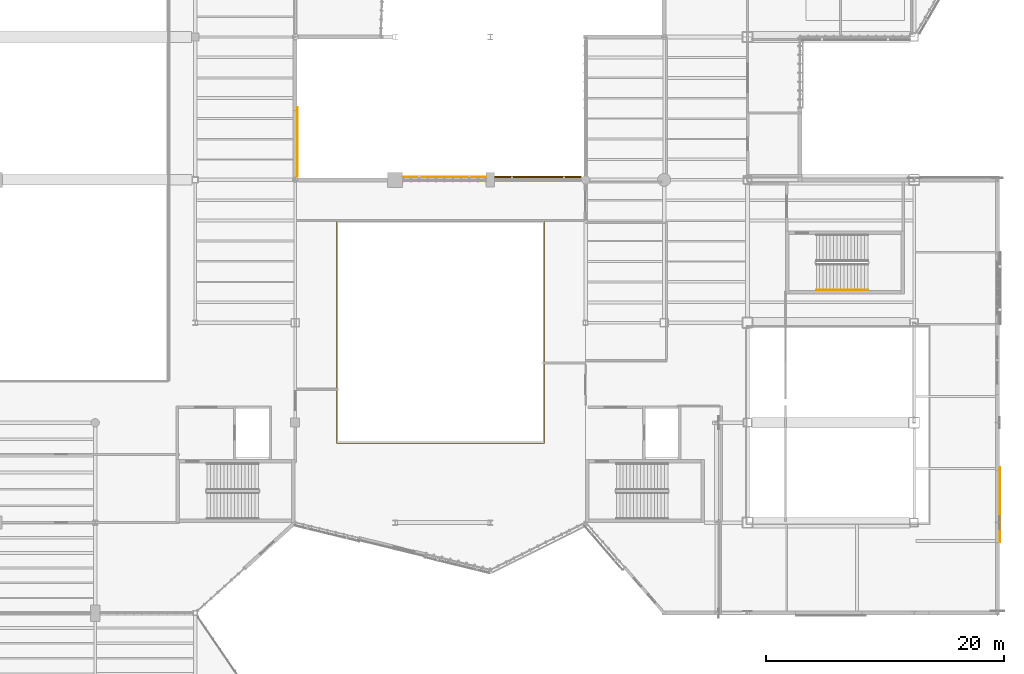
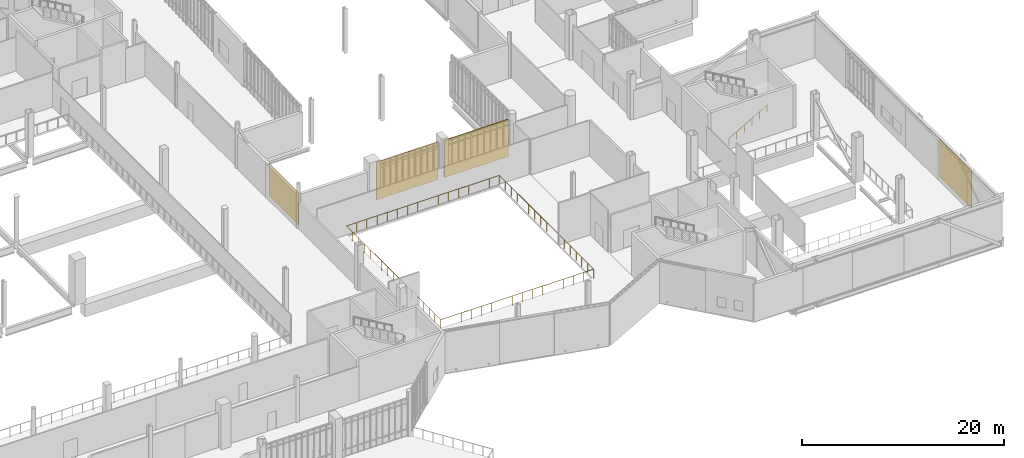
# One storey, part 122 of 127: 2 coverings, 2 railings, 2 shading devices.
"""IFC4 building model written with IfcOpenShell, lengths in metres."""

import ifcopenshell
import ifcopenshell.guid

model = None  # the IFC model being written
_history = None  # IfcOwnerHistory: only IFC2X3 demands one
_inside = {}  # id of a spatial element -> (the spatial element, [elements in it])
_under = {}  # id of a project, library or spatial element -> (it, [spatial elements below it])
_declared = {}  # id of a project -> (the project, [libraries it declares])
_typed = {}  # id of a type object -> (the type object, [elements of that type])
_made_of = {}  # id of a material, layer set ... -> (it, [elements and type objects made of it])


def new_model(schema):
    """Start an empty IFC model of exactly this schema.

    Asked for "IFC4X3", IfcOpenShell would pick the latest addendum, in which some entities
    have other attributes; the version numbers below select the first issue.
    IFC2X3 requires an IfcOwnerHistory on every rooted entity: one is made here for all.
    """
    global model, _history
    if schema == "IFC4X3":
        model = ifcopenshell.file(schema_version=(4, 3, 0, 0))
    else:
        model = ifcopenshell.file(schema=schema)
    _inside.clear()
    _under.clear()
    _declared.clear()
    _typed.clear()
    _made_of.clear()
    _history = None
    if model.schema == "IFC2X3":
        org = make("IfcOrganization", Name="unknown")
        user = make(
            "IfcPersonAndOrganization",
            ThePerson=make("IfcPerson", FamilyName="unknown"),
            TheOrganization=org,
        )
        app = make(
            "IfcApplication",
            ApplicationDeveloper=org,
            Version="unknown",
            ApplicationFullName="unknown",
            ApplicationIdentifier="unknown",
        )
        _history = make(
            "IfcOwnerHistory",
            OwningUser=user,
            OwningApplication=app,
            ChangeAction="ADDED",
            CreationDate=0,
        )
    return model


def make(cls, **values):
    """One entity of the class cls with the attributes given. An attribute that is None is left unset."""
    return model.create_entity(
        cls, **{name: value for name, value in values.items() if value is not None}
    )


def rooted(cls, **values):
    """An entity with a GlobalId (a new one), such as an element, a storey or a relation."""
    return make(cls, GlobalId=ifcopenshell.guid.new(), OwnerHistory=_history, **values)


def si_unit(unit_type, name, prefix=None):
    """IfcSIUnit, for example si_unit("LENGTHUNIT", "METRE", prefix="MILLI")."""
    return make("IfcSIUnit", UnitType=unit_type, Prefix=prefix, Name=name)


def assignment(units):
    """IfcUnitAssignment: the units of a project."""
    return None if units is None else make("IfcUnitAssignment", Units=units)


def point(xyz):
    """IfcCartesianPoint."""
    return None if xyz is None else make("IfcCartesianPoint", Coordinates=xyz)


def direction(xyz):
    """IfcDirection."""
    return None if xyz is None else make("IfcDirection", DirectionRatios=xyz)


def frame(location, z_axis=None, x_axis=None):
    """IfcAxis2Placement3D, a coordinate frame: its origin and axes. An axis left out is left unset."""
    return make(
        "IfcAxis2Placement3D",
        Location=point(location),
        Axis=direction(z_axis),
        RefDirection=direction(x_axis),
    )


def frame_2d(location, x_axis=None):
    """IfcAxis2Placement2D, a coordinate frame in the plane: its origin and x axis."""
    return make(
        "IfcAxis2Placement2D", Location=point(location), RefDirection=direction(x_axis)
    )


def origin():
    """The frame at (0, 0, 0) with its axes left unset."""
    return frame((0.0, 0.0, 0.0))


def origin_2d():
    """The frame at (0, 0) in the plane with its x axis left unset."""
    return frame_2d((0.0, 0.0))


def place(relative_to, where):
    """IfcLocalPlacement: puts the frame where relative to a parent placement (None: the world)."""
    return make(
        "IfcLocalPlacement", PlacementRelTo=relative_to, RelativePlacement=where
    )


def context(
    kind, dimensions, precision=None, world=None, true_north=None, identifier=None
):
    """IfcGeometricRepresentationContext, for example the 3D "Model" context."""
    return make(
        "IfcGeometricRepresentationContext",
        ContextIdentifier=identifier,
        ContextType=kind,
        CoordinateSpaceDimension=dimensions,
        Precision=precision,
        WorldCoordinateSystem=world,
        TrueNorth=true_north,
    )


def subcontext(parent, identifier, kind, view, scale=None):
    """IfcGeometricRepresentationSubContext, for example "Body" below "Model"."""
    return make(
        "IfcGeometricRepresentationSubContext",
        ContextIdentifier=identifier,
        ContextType=kind,
        ParentContext=parent,
        TargetScale=scale,
        TargetView=view,
    )


def project(units=None, contexts=None):
    """IfcProject with its units and contexts."""
    return rooted(
        "IfcProject",
        Name="project",
        RepresentationContexts=contexts,
        UnitsInContext=assignment(units),
    )


def spatial(cls, under=None, at=None, **own):
    """A site, building, storey or space (cls), placed at a placement, below another one or the project."""
    s = rooted(cls, ObjectPlacement=at, **own)
    if under is not None:
        _under.setdefault(under.id(), (under, []))[1].append(s)
    return s


def profile(cls, at=None, kind="AREA", **sizes):
    """A parametric profile (cls). Its sizes go by their IFC names, for example OverallWidth=200.0."""
    return make(cls, ProfileType=kind, Position=at, **sizes)


def rectangle(**sizes):
    """IfcRectangleProfileDef."""
    return profile("IfcRectangleProfileDef", **sizes)


def circle(**sizes):
    """IfcCircleProfileDef."""
    return profile("IfcCircleProfileDef", **sizes)


def extrude(swept, where, along, depth):
    """IfcExtrudedAreaSolid: the profile swept, set in the frame where, extruded along a direction by depth."""
    return make(
        "IfcExtrudedAreaSolid",
        SweptArea=swept,
        Position=where,
        ExtrudedDirection=direction(along),
        Depth=depth,
    )


def shape(context_of_items, identifier, shape_type, items):
    """IfcShapeRepresentation: the items that make up one representation, for example the "Body"."""
    return make(
        "IfcShapeRepresentation",
        ContextOfItems=context_of_items,
        RepresentationIdentifier=identifier,
        RepresentationType=shape_type,
        Items=items,
    )


def material(Name=None, Category=None):
    """IfcMaterial."""
    return make("IfcMaterial", Name=Name, Category=Category)


def layer(
    of_material, thickness, ventilated=None, Name=None, Category=None, Priority=None
):
    """IfcMaterialLayer: one layer of a wall or slab, of a material (None: an air gap)."""
    return make(
        "IfcMaterialLayer",
        Material=of_material,
        LayerThickness=thickness,
        IsVentilated=ventilated,
        Name=Name,
        Category=Category,
        Priority=Priority,
    )


def layer_set(layers, Name=None):
    """IfcMaterialLayerSet."""
    return make("IfcMaterialLayerSet", MaterialLayers=layers, LayerSetName=Name)


def made_of(thing, what):
    """Note that an element or type object is made of a material, layer set ...; save() writes the relation."""
    if what is not None:
        _made_of.setdefault(what.id(), (what, []))[1].append(thing)
    return thing


def type_object(cls, material=None, **own):
    """A type object (cls), such as IfcWallType, which elements share."""
    return made_of(rooted(cls, **own), material)


def element(
    cls,
    number,
    at=None,
    inside=None,
    cuts=None,
    type_object=None,
    material=None,
    context=None,
    identifier="Body",
    shape_type=None,
    held_by="IfcProductDefinitionShape",
    body=None,
    shapes=None,
    **own,
):
    """One element of the class cls, such as IfcWall. Its Tag is "e" and its number.

    at: its placement. inside: the storey or other place that contains it. cuts: it is an
    opening in that element (IfcRelVoidsElement). A single representation is given by context,
    identifier, shape_type and body (its items); several are given by shapes. held_by: the class
    of the entity that holds the representations. save() writes the other relations.
    """
    e = rooted(cls, Tag="e%d" % number, ObjectPlacement=at, **own)
    if body is not None:
        shapes = [shape(context, identifier, shape_type, body)]
    if shapes is not None:
        e.Representation = make(held_by, Representations=shapes)
    if inside is not None:
        _inside.setdefault(inside.id(), (inside, []))[1].append(e)
    if cuts is not None:
        rooted(
            "IfcRelVoidsElement", RelatingBuildingElement=cuts, RelatedOpeningElement=e
        )
    if type_object is not None:
        _typed.setdefault(type_object.id(), (type_object, []))[1].append(e)
    return made_of(e, material)


def aggregate(whole, parts):
    """IfcRelAggregates: a whole, such as a stair, and the parts it consists of."""
    return rooted("IfcRelAggregates", RelatingObject=whole, RelatedObjects=parts)


def save(model, path):
    """Write the relations noted so far, then the file.

    IfcRelAggregates (storeys below a building ...), IfcRelContainedInSpatialStructure (elements
    in a storey), IfcRelDefinesByType, IfcRelAssociatesMaterial and IfcRelDeclares: one each for
    every whole, place, type object, material and project.
    """
    for whole, parts in _under.values():
        aggregate(whole, parts)
    for where, things in _inside.values():
        rooted(
            "IfcRelContainedInSpatialStructure",
            RelatedElements=things,
            RelatingStructure=where,
        )
    for kind, things in _typed.values():
        rooted("IfcRelDefinesByType", RelatedObjects=things, RelatingType=kind)
    for what, things in _made_of.values():
        rooted("IfcRelAssociatesMaterial", RelatedObjects=things, RelatingMaterial=what)
    for by, libraries in _declared.values():
        rooted("IfcRelDeclares", RelatingContext=by, RelatedDefinitions=libraries)
    model.write(path)


model = new_model("IFC4")

# Units and contexts
model_context = context("Model", 3, precision=1e-05, world=origin(), true_north=direction((0.0, 1.0)))
body_context = subcontext(model_context, "Body", "Model", "MODEL_VIEW")
ifc_project = project(units=[si_unit("LENGTHUNIT", "METRE"), si_unit("AREAUNIT", "SQUARE_METRE"), si_unit("VOLUMEUNIT", "CUBIC_METRE"), si_unit("PLANEANGLEUNIT", "RADIAN"), si_unit("MASSUNIT", "GRAM", prefix="KILO")], contexts=[model_context])

# Site, building, storey
site_placement = place(None, origin())
site = spatial("IfcSite", under=ifc_project, at=site_placement, CompositionType="ELEMENT")
building_placement = place(site_placement, origin())
building = spatial("IfcBuilding", under=site, at=building_placement, Name="Larkvane Passage Sports Hall", CompositionType="ELEMENT")
storey_placement = place(building_placement, frame((0.0, 0.0, 5.39990234375)))
storey = spatial("IfcBuildingStorey", under=building, at=storey_placement, Name="L01", CompositionType="ELEMENT", Elevation=5.39990234375)

# Coverings
ifc_material_1 = material(Name="Perforated anodised aluminium 5052-H32", Category="aluminium")
ifc_layer_1 = layer(ifc_material_1, 0.050048828125)
ifc_layer_set_1 = layer_set([ifc_layer_1], Name="Perforated anodised aluminium 5052-H32")
covering_type = type_object("IfcCoveringType", Name="COV-MESH-VEIL", PredefinedType="CLADDING", material=ifc_layer_set_1)
covering_1_placement = place(storey_placement, frame((93.797607421875, 54.782470703125, 0.0751953125), z_axis=(0.0, 0.0, 1.0), x_axis=(0.0, -1.0, 0.0)))
element("IfcCovering", 1, at=covering_1_placement, inside=storey, type_object=covering_type, Name="Perforated cladding cassette L01-084", PredefinedType="CLADDING", context=body_context, shape_type="SweptSolid", body=[
    extrude(rectangle(XDim=5.866455078125, YDim=0.050048828125, at=origin_2d()), origin(), (0.0, 0.0, 1.0), 3.91796875),
])
covering_2_placement = place(storey_placement, frame((152.797607421875, 24.300048828125, 0.0751953125), z_axis=(0.0, 0.0, 1.0), x_axis=(0.0, -1.0, 0.0)))
element("IfcCovering", 2, at=covering_2_placement, inside=storey, type_object=covering_type, Name="Perforated cladding cassette L01-100", PredefinedType="CLADDING", context=body_context, shape_type="SweptSolid", body=[
    extrude(rectangle(XDim=6.2978515625, YDim=0.050048828125, at=origin_2d()), origin(), (0.0, 0.0, 1.0), 4.597900390625),
])

# Railings
ifc_material_2 = material(Name="Laminated toughened glass and stainless steel S355JR", Category="steel")
railing_type_1 = type_object("IfcRailingType", Name="RL-BALUST-1120", PredefinedType="BALUSTRADE", material=ifc_material_2)
railing_1_placement = place(storey_placement, frame((97.080078125, 29.47998046875, 0.0)))
element("IfcRailing", 3, at=railing_1_placement, inside=storey, type_object=railing_type_1, Name="Atrium void balustrade L01-004", PredefinedType="BALUSTRADE", context=body_context, shape_type="SweptSolid", body=[
    extrude(circle(Radius=0.02392578125, at=origin_2d()), frame((0.001953125, 0.0, 1.09619140625), z_axis=(1.0, 0.0, 0.0), x_axis=(0.0, 1.0, 0.0)), (0.0, 0.0, 1.0), 17.43603515625),
    extrude(circle(Radius=0.02392578125, at=origin_2d()), frame((17.43994140625, 0.001953125, 1.09619140625), z_axis=(0.0, 1.0, 0.0), x_axis=(-1.0, 0.0, 0.0)), (0.0, 0.0, 1.0), 18.63623046875),
    extrude(circle(Radius=0.02392578125, at=origin_2d()), frame((17.43798828125, 18.64013671875, 1.09619140625), z_axis=(-1.0, 0.0, 0.0), x_axis=(0.0, -1.0, 0.0)), (0.0, 0.0, 1.0), 17.43603515625),
    extrude(circle(Radius=0.02392578125, at=origin_2d()), frame((0.0, 18.63818359375, 1.09619140625), z_axis=(0.0, -1.0, 0.0), x_axis=(1.0, 0.0, 0.0)), (0.0, 0.0, 1.0), 18.63623046875),
    extrude(circle(Radius=0.02099609375, at=origin_2d()), origin(), (0.0, 0.0, 1.0), 1.072021484375),
    extrude(circle(Radius=0.02099609375, at=origin_2d()), frame((1.16259765625, 0.0, 0.0)), (0.0, 0.0, 1.0), 1.072021484375),
    extrude(circle(Radius=0.02099609375, at=origin_2d()), frame((2.325439453125, 0.0, 0.0)), (0.0, 0.0, 1.0), 1.072021484375),
    extrude(circle(Radius=0.02099609375, at=origin_2d()), frame((3.488037109375, 0.0, 0.0)), (0.0, 0.0, 1.0), 1.072021484375),
    extrude(circle(Radius=0.02099609375, at=origin_2d()), frame((4.650634765625, 0.0, 0.0)), (0.0, 0.0, 1.0), 1.072021484375),
    extrude(circle(Radius=0.02099609375, at=origin_2d()), frame((5.813232421875, 0.0, 0.0)), (0.0, 0.0, 1.0), 1.072021484375),
    extrude(circle(Radius=0.02099609375, at=origin_2d()), frame((6.97607421875, 0.0, 0.0)), (0.0, 0.0, 1.0), 1.072021484375),
    extrude(circle(Radius=0.02099609375, at=origin_2d()), frame((8.138671875, 0.0, 0.0)), (0.0, 0.0, 1.0), 1.072021484375),
    extrude(circle(Radius=0.02099609375, at=origin_2d()), frame((9.30126953125, 0.0, 0.0)), (0.0, 0.0, 1.0), 1.072021484375),
    extrude(circle(Radius=0.02099609375, at=origin_2d()), frame((10.4638671875, 0.0, 0.0)), (0.0, 0.0, 1.0), 1.072021484375),
    extrude(circle(Radius=0.02099609375, at=origin_2d()), frame((11.626708984375, 0.0, 0.0)), (0.0, 0.0, 1.0), 1.072021484375),
    extrude(circle(Radius=0.02099609375, at=origin_2d()), frame((12.789306640625, 0.0, 0.0)), (0.0, 0.0, 1.0), 1.072021484375),
    extrude(circle(Radius=0.02099609375, at=origin_2d()), frame((13.951904296875, 0.0, 0.0)), (0.0, 0.0, 1.0), 1.072021484375),
    extrude(circle(Radius=0.02099609375, at=origin_2d()), frame((15.114501953125, 0.0, 0.0)), (0.0, 0.0, 1.0), 1.072021484375),
    extrude(circle(Radius=0.02099609375, at=origin_2d()), frame((16.27734375, 0.0, 0.0)), (0.0, 0.0, 1.0), 1.072021484375),
    extrude(circle(Radius=0.02099609375, at=origin_2d()), frame((17.43994140625, 0.0, 0.0)), (0.0, 0.0, 1.0), 1.072021484375),
    extrude(circle(Radius=0.02099609375, at=origin_2d()), frame((17.43994140625, 1.1650390625, 0.0)), (0.0, 0.0, 1.0), 1.072021484375),
    extrude(circle(Radius=0.02099609375, at=origin_2d()), frame((17.43994140625, 2.330078125, 0.0)), (0.0, 0.0, 1.0), 1.072021484375),
    extrude(circle(Radius=0.02099609375, at=origin_2d()), frame((17.43994140625, 3.4951171875, 0.0)), (0.0, 0.0, 1.0), 1.072021484375),
    extrude(circle(Radius=0.02099609375, at=origin_2d()), frame((17.43994140625, 4.66015625, 0.0)), (0.0, 0.0, 1.0), 1.072021484375),
    extrude(circle(Radius=0.02099609375, at=origin_2d()), frame((17.43994140625, 5.824951171875, 0.0)), (0.0, 0.0, 1.0), 1.072021484375),
    extrude(circle(Radius=0.02099609375, at=origin_2d()), frame((17.43994140625, 6.989990234375, 0.0)), (0.0, 0.0, 1.0), 1.072021484375),
    extrude(circle(Radius=0.02099609375, at=origin_2d()), frame((17.43994140625, 8.155029296875, 0.0)), (0.0, 0.0, 1.0), 1.072021484375),
    extrude(circle(Radius=0.02099609375, at=origin_2d()), frame((17.43994140625, 9.320068359375, 0.0)), (0.0, 0.0, 1.0), 1.072021484375),
    extrude(circle(Radius=0.02099609375, at=origin_2d()), frame((17.43994140625, 10.485107421875, 0.0)), (0.0, 0.0, 1.0), 1.072021484375),
    extrude(circle(Radius=0.02099609375, at=origin_2d()), frame((17.43994140625, 11.650146484375, 0.0)), (0.0, 0.0, 1.0), 1.072021484375),
    extrude(circle(Radius=0.02099609375, at=origin_2d()), frame((17.43994140625, 12.815185546875, 0.0)), (0.0, 0.0, 1.0), 1.072021484375),
    extrude(circle(Radius=0.02099609375, at=origin_2d()), frame((17.43994140625, 13.97998046875, 0.0)), (0.0, 0.0, 1.0), 1.072021484375),
    extrude(circle(Radius=0.02099609375, at=origin_2d()), frame((17.43994140625, 15.14501953125, 0.0)), (0.0, 0.0, 1.0), 1.072021484375),
    extrude(circle(Radius=0.02099609375, at=origin_2d()), frame((17.43994140625, 16.31005859375, 0.0)), (0.0, 0.0, 1.0), 1.072021484375),
    extrude(circle(Radius=0.02099609375, at=origin_2d()), frame((17.43994140625, 17.47509765625, 0.0)), (0.0, 0.0, 1.0), 1.072021484375),
    extrude(circle(Radius=0.02099609375, at=origin_2d()), frame((17.43994140625, 18.64013671875, 0.0)), (0.0, 0.0, 1.0), 1.072021484375),
    extrude(circle(Radius=0.02099609375, at=origin_2d()), frame((16.27734375, 18.64013671875, 0.0)), (0.0, 0.0, 1.0), 1.072021484375),
    extrude(circle(Radius=0.02099609375, at=origin_2d()), frame((15.114501953125, 18.64013671875, 0.0)), (0.0, 0.0, 1.0), 1.072021484375),
    extrude(circle(Radius=0.02099609375, at=origin_2d()), frame((13.951904296875, 18.64013671875, 0.0)), (0.0, 0.0, 1.0), 1.072021484375),
    extrude(circle(Radius=0.02099609375, at=origin_2d()), frame((12.789306640625, 18.64013671875, 0.0)), (0.0, 0.0, 1.0), 1.072021484375),
    extrude(circle(Radius=0.02099609375, at=origin_2d()), frame((11.626708984375, 18.64013671875, 0.0)), (0.0, 0.0, 1.0), 1.072021484375),
    extrude(circle(Radius=0.02099609375, at=origin_2d()), frame((10.4638671875, 18.64013671875, 0.0)), (0.0, 0.0, 1.0), 1.072021484375),
    extrude(circle(Radius=0.02099609375, at=origin_2d()), frame((9.30126953125, 18.64013671875, 0.0)), (0.0, 0.0, 1.0), 1.072021484375),
    extrude(circle(Radius=0.02099609375, at=origin_2d()), frame((8.138671875, 18.64013671875, 0.0)), (0.0, 0.0, 1.0), 1.072021484375),
    extrude(circle(Radius=0.02099609375, at=origin_2d()), frame((6.97607421875, 18.64013671875, 0.0)), (0.0, 0.0, 1.0), 1.072021484375),
    extrude(circle(Radius=0.02099609375, at=origin_2d()), frame((5.813232421875, 18.64013671875, 0.0)), (0.0, 0.0, 1.0), 1.072021484375),
    extrude(circle(Radius=0.02099609375, at=origin_2d()), frame((4.650634765625, 18.64013671875, 0.0)), (0.0, 0.0, 1.0), 1.072021484375),
    extrude(circle(Radius=0.02099609375, at=origin_2d()), frame((3.488037109375, 18.64013671875, 0.0)), (0.0, 0.0, 1.0), 1.072021484375),
    extrude(circle(Radius=0.02099609375, at=origin_2d()), frame((2.325439453125, 18.64013671875, 0.0)), (0.0, 0.0, 1.0), 1.072021484375),
    extrude(circle(Radius=0.02099609375, at=origin_2d()), frame((1.16259765625, 18.64013671875, 0.0)), (0.0, 0.0, 1.0), 1.072021484375),
    extrude(circle(Radius=0.02099609375, at=origin_2d()), frame((0.0, 18.64013671875, 0.0)), (0.0, 0.0, 1.0), 1.072021484375),
    extrude(circle(Radius=0.02099609375, at=origin_2d()), frame((0.0, 17.47509765625, 0.0)), (0.0, 0.0, 1.0), 1.072021484375),
    extrude(circle(Radius=0.02099609375, at=origin_2d()), frame((0.0, 16.31005859375, 0.0)), (0.0, 0.0, 1.0), 1.072021484375),
    extrude(circle(Radius=0.02099609375, at=origin_2d()), frame((0.0, 15.14501953125, 0.0)), (0.0, 0.0, 1.0), 1.072021484375),
    extrude(circle(Radius=0.02099609375, at=origin_2d()), frame((0.0, 13.97998046875, 0.0)), (0.0, 0.0, 1.0), 1.072021484375),
    extrude(circle(Radius=0.02099609375, at=origin_2d()), frame((0.0, 12.815185546875, 0.0)), (0.0, 0.0, 1.0), 1.072021484375),
    extrude(circle(Radius=0.02099609375, at=origin_2d()), frame((0.0, 11.650146484375, 0.0)), (0.0, 0.0, 1.0), 1.072021484375),
    extrude(circle(Radius=0.02099609375, at=origin_2d()), frame((0.0, 10.485107421875, 0.0)), (0.0, 0.0, 1.0), 1.072021484375),
    extrude(circle(Radius=0.02099609375, at=origin_2d()), frame((0.0, 9.320068359375, 0.0)), (0.0, 0.0, 1.0), 1.072021484375),
    extrude(circle(Radius=0.02099609375, at=origin_2d()), frame((0.0, 8.155029296875, 0.0)), (0.0, 0.0, 1.0), 1.072021484375),
    extrude(circle(Radius=0.02099609375, at=origin_2d()), frame((0.0, 6.989990234375, 0.0)), (0.0, 0.0, 1.0), 1.072021484375),
    extrude(circle(Radius=0.02099609375, at=origin_2d()), frame((0.0, 5.824951171875, 0.0)), (0.0, 0.0, 1.0), 1.072021484375),
    extrude(circle(Radius=0.02099609375, at=origin_2d()), frame((0.0, 4.66015625, 0.0)), (0.0, 0.0, 1.0), 1.072021484375),
    extrude(circle(Radius=0.02099609375, at=origin_2d()), frame((0.0, 3.4951171875, 0.0)), (0.0, 0.0, 1.0), 1.072021484375),
    extrude(circle(Radius=0.02099609375, at=origin_2d()), frame((0.0, 2.330078125, 0.0)), (0.0, 0.0, 1.0), 1.072021484375),
    extrude(circle(Radius=0.02099609375, at=origin_2d()), frame((0.0, 1.1650390625, 0.0)), (0.0, 0.0, 1.0), 1.072021484375),
])
ifc_material_3 = material(Name="Stainless steel S355JR", Category="steel")
railing_type_2 = type_object("IfcRailingType", Name="RL-HAND-920", PredefinedType="HANDRAIL", material=ifc_material_3)
railing_2_placement = place(storey_placement, frame((137.3798828125, 42.35009765625, 0.1689453125)))
element("IfcRailing", 4, at=railing_2_placement, inside=storey, type_object=railing_type_2, Name="L01 ST-07 stair handrail 1", PredefinedType="HANDRAIL", context=body_context, shape_type="SweptSolid", body=[
    extrude(circle(Radius=0.02392578125, at=origin_2d()), frame((0.001708984375, 0.0, 0.876953125), z_axis=(0.864323800911, 0.0, 0.50293574856), x_axis=(0.0, 1.0, 0.0)), (0.0, 0.0, 1.0), 5.029052734375),
    extrude(circle(Radius=0.02099609375, at=origin_2d()), origin(), (0.0, 0.0, 1.0), 0.851806640625),
    extrude(circle(Radius=0.02099609375, at=origin_2d()), frame((0.8701171875, 0.0, 0.50634765625)), (0.0, 0.0, 1.0), 0.851806640625),
    extrude(circle(Radius=0.02099609375, at=origin_2d()), frame((1.739990234375, 0.0, 1.012451171875)), (0.0, 0.0, 1.0), 0.851806640625),
    extrude(circle(Radius=0.02099609375, at=origin_2d()), frame((2.610107421875, 0.0, 1.518798828125)), (0.0, 0.0, 1.0), 0.851806640625),
    extrude(circle(Radius=0.02099609375, at=origin_2d()), frame((3.47998046875, 0.0, 2.02490234375)), (0.0, 0.0, 1.0), 0.851806640625),
    extrude(circle(Radius=0.02099609375, at=origin_2d()), frame((4.35009765625, 0.0, 2.53125)), (0.0, 0.0, 1.0), 0.851806640625),
])

# Shading devices
ifc_material_4 = material(Name="Extruded aluminium 6063-T6", Category="aluminium")
ifc_layer_2 = layer(ifc_material_4, 0.1201171875)
ifc_layer_set_2 = layer_set([ifc_layer_2], Name="Extruded aluminium 6063-T6")
shading_device_type_1 = type_object("IfcShadingDeviceType", Name="SHD-LOUVRE-STORM", PredefinedType="JALOUSIE", material=ifc_layer_set_2)
shading_device_1_placement = place(storey_placement, frame((114.0, 51.840087890625, 0.06005859375), z_axis=(0.0, 0.0, 1.0), x_axis=(1.0, 0.0, 0.0)))
element("IfcShadingDevice", 5, at=shading_device_1_placement, inside=storey, type_object=shading_device_type_1, Name="Solar veil screen L01-030", PredefinedType="JALOUSIE", context=body_context, shape_type="SweptSolid", body=[
    extrude(rectangle(XDim=7.30810546875, YDim=0.1201171875, at=origin_2d()), origin(), (0.0, 0.0, 1.0), 4.4580078125),
])
ifc_layer_3 = layer(ifc_material_1, 0.06005859375)
ifc_layer_set_3 = layer_set([ifc_layer_3], Name="Perforated anodised aluminium 5052-H32")
shading_device_type_2 = type_object("IfcShadingDeviceType", Name="SHD-VEIL-PERF", PredefinedType="SHUTTER", material=ifc_layer_set_3)
shading_device_2_placement = place(storey_placement, frame((106.137451171875, 51.840087890625, 0.06005859375), z_axis=(0.0, 0.0, 1.0), x_axis=(1.0, 0.0, 0.0)))
element("IfcShadingDevice", 6, at=shading_device_2_placement, inside=storey, type_object=shading_device_type_2, Name="Solar veil screen L01-029", PredefinedType="SHUTTER", context=body_context, shape_type="SweptSolid", body=[
    extrude(rectangle(XDim=7.032958984375, YDim=0.06005859375, at=origin_2d()), origin(), (0.0, 0.0, 1.0), 4.553955078125),
])

save(model, "model.ifc")
